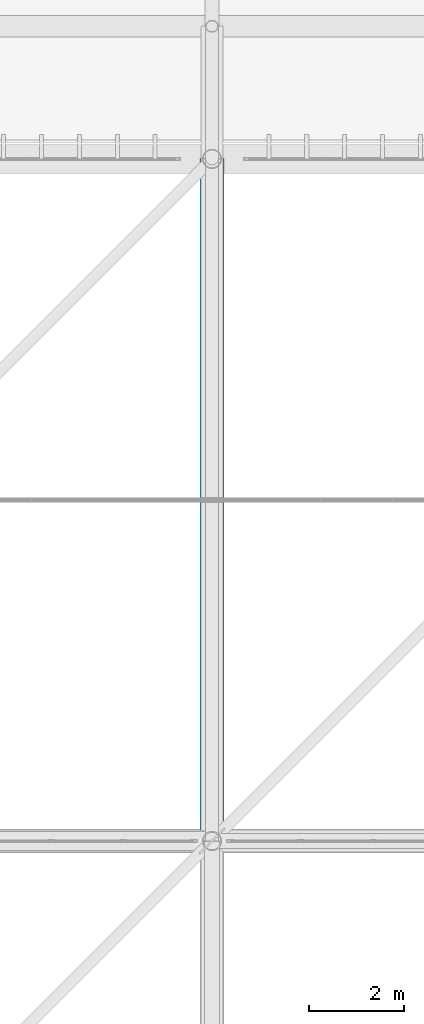
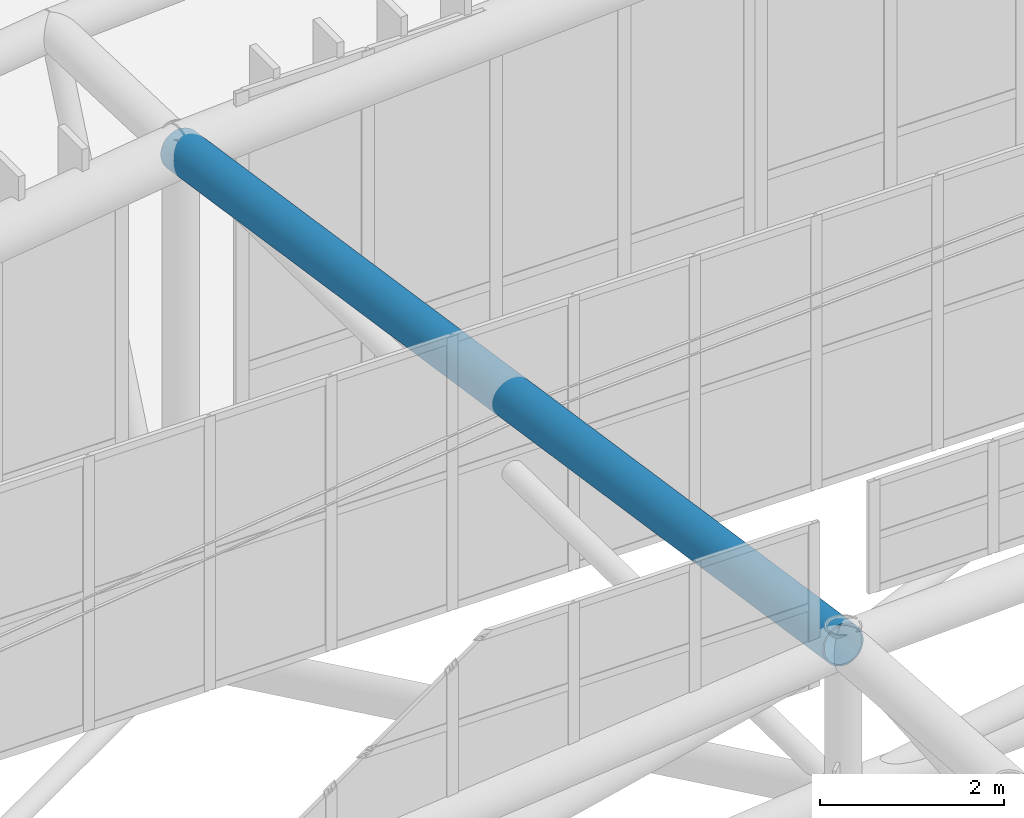
# One storey, part 242 of 397: 1 beam.
"""IFC4 building model written with IfcOpenShell, lengths in metres."""

from ifc_helpers import new_model, si_unit, direction, frame, origin, origin_2d, place, context, subcontext, project, spatial, hollow_circle, extrude, material, material_profile, profile_set, type_object, element, save


model = new_model("IFC4")

# Units and contexts
model_context = context("Model", 3, precision=1e-05, world=origin(), true_north=direction((0.0, 1.0)))
body_context = subcontext(model_context, "Body", "Model", "MODEL_VIEW")
ifc_project = project(units=[si_unit("LENGTHUNIT", "METRE"), si_unit("AREAUNIT", "SQUARE_METRE"), si_unit("VOLUMEUNIT", "CUBIC_METRE"), si_unit("PLANEANGLEUNIT", "RADIAN"), si_unit("MASSUNIT", "GRAM", prefix="KILO")], contexts=[model_context])

# Site, building, storey
site_placement = place(None, origin())
site = spatial("IfcSite", under=ifc_project, at=site_placement, CompositionType="ELEMENT")
building_placement = place(site_placement, origin())
building = spatial("IfcBuilding", under=site, at=building_placement, Name="Qandorah Velis Arena", CompositionType="ELEMENT")
storey_placement = place(building_placement, frame((0.0, 0.0, 27.5)))
storey = spatial("IfcBuildingStorey", under=building, at=storey_placement, Name="RF", CompositionType="ELEMENT", Elevation=27.5)

# Beam
ifc_material = material(Name="Steel S355", Category="steel")
ifc_material_profile = material_profile(ifc_material, hollow_circle(Radius=0.25390625, WallThickness=0.02001953125, at=origin_2d()), Name="CHS 508x20")
ifc_profile_set = profile_set([ifc_material_profile], Name="Steel S355")
beam_type = type_object("IfcBeamType", Name="STR-SFC-CHS508X20", PredefinedType="USERDEFINED", material=ifc_profile_set)
beam_placement = place(storey_placement, frame((43.199951171875, 100.800048828125, 8.95947265625), z_axis=(0.0, 0.988934631036, -0.148351931359), x_axis=(-1.0, 0.0, 0.0)))
element("IfcBeam", 1, at=beam_placement, inside=storey, type_object=beam_type, Name="Space frame roof truss top chord Y 2.6", ObjectType="ROOF TRUSS", PredefinedType="USERDEFINED", context=body_context, shape_type="SweptSolid", body=[
    extrude(hollow_circle(Radius=0.25390625, WallThickness=0.02001953125, at=origin_2d()), origin(), (0.0, 0.0, 1.0), 14.56103515625),
])

save(model, "model.ifc")
